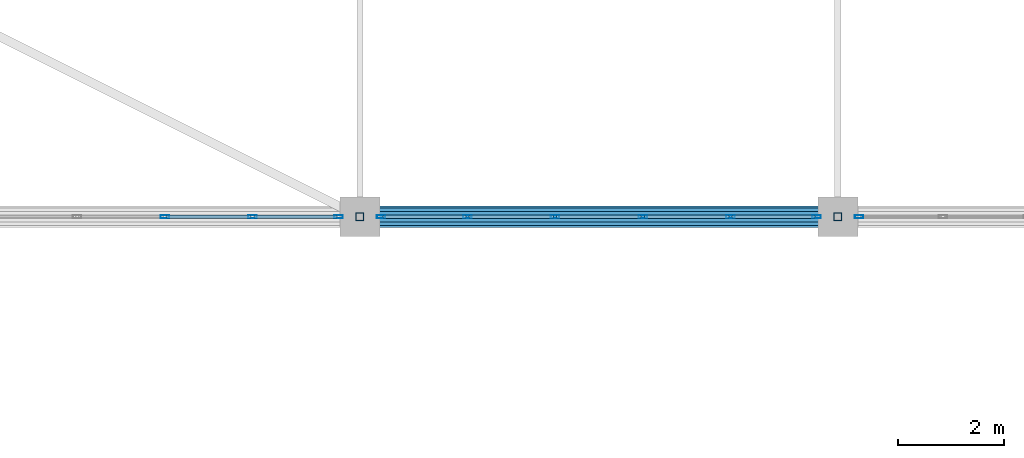
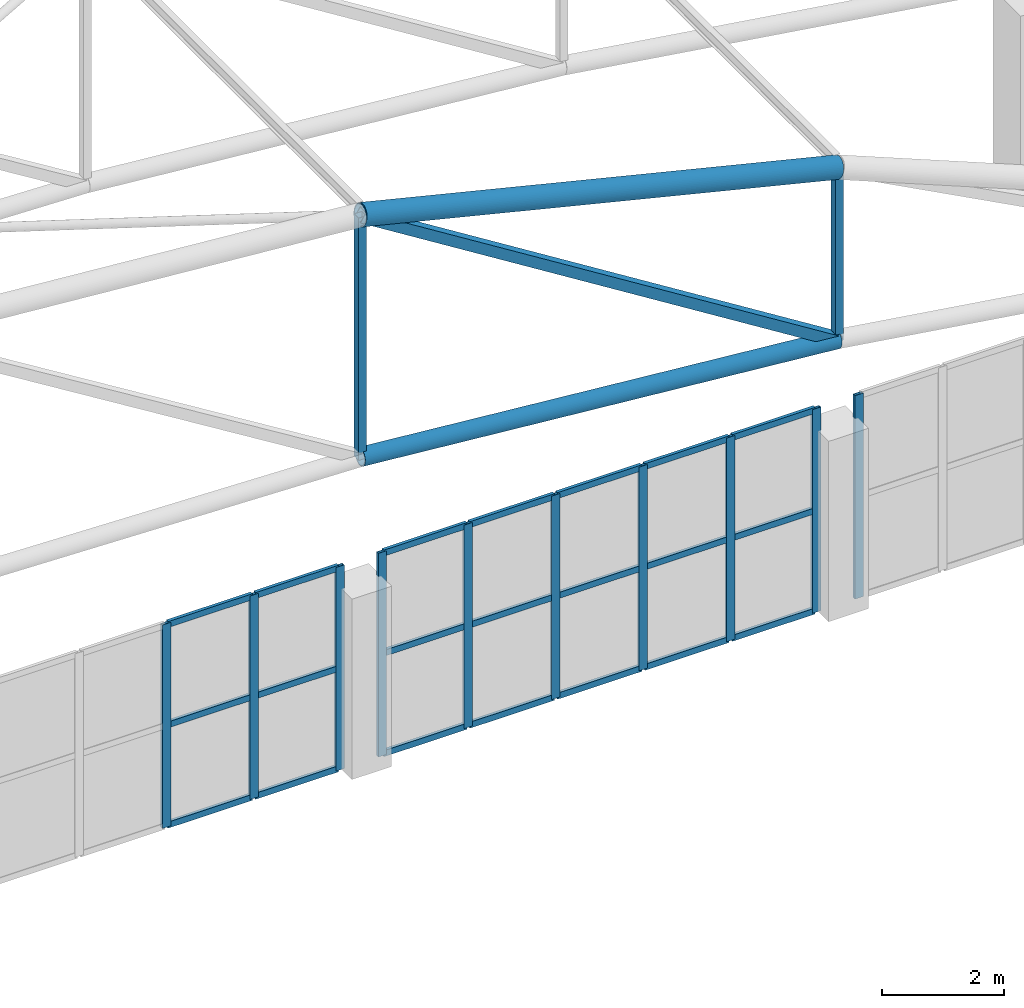
# One storey, part 14 of 167: 36 members, 3 elements without a shape of their own.
"""IFC4 building model written with IfcOpenShell, lengths in metres."""

import ifcopenshell
import ifcopenshell.guid

model = None  # the IFC model being written
_history = None  # IfcOwnerHistory: only IFC2X3 demands one
_inside = {}  # id of a spatial element -> (the spatial element, [elements in it])
_under = {}  # id of a project, library or spatial element -> (it, [spatial elements below it])
_declared = {}  # id of a project -> (the project, [libraries it declares])
_typed = {}  # id of a type object -> (the type object, [elements of that type])
_made_of = {}  # id of a material, layer set ... -> (it, [elements and type objects made of it])


def new_model(schema):
    """Start an empty IFC model of exactly this schema.

    Asked for "IFC4X3", IfcOpenShell would pick the latest addendum, in which some entities
    have other attributes; the version numbers below select the first issue.
    IFC2X3 requires an IfcOwnerHistory on every rooted entity: one is made here for all.
    """
    global model, _history
    if schema == "IFC4X3":
        model = ifcopenshell.file(schema_version=(4, 3, 0, 0))
    else:
        model = ifcopenshell.file(schema=schema)
    _inside.clear()
    _under.clear()
    _declared.clear()
    _typed.clear()
    _made_of.clear()
    _history = None
    if model.schema == "IFC2X3":
        org = make("IfcOrganization", Name="unknown")
        user = make(
            "IfcPersonAndOrganization",
            ThePerson=make("IfcPerson", FamilyName="unknown"),
            TheOrganization=org,
        )
        app = make(
            "IfcApplication",
            ApplicationDeveloper=org,
            Version="unknown",
            ApplicationFullName="unknown",
            ApplicationIdentifier="unknown",
        )
        _history = make(
            "IfcOwnerHistory",
            OwningUser=user,
            OwningApplication=app,
            ChangeAction="ADDED",
            CreationDate=0,
        )
    return model


def make(cls, **values):
    """One entity of the class cls with the attributes given. An attribute that is None is left unset."""
    return model.create_entity(
        cls, **{name: value for name, value in values.items() if value is not None}
    )


def rooted(cls, **values):
    """An entity with a GlobalId (a new one), such as an element, a storey or a relation."""
    return make(cls, GlobalId=ifcopenshell.guid.new(), OwnerHistory=_history, **values)


def si_unit(unit_type, name, prefix=None):
    """IfcSIUnit, for example si_unit("LENGTHUNIT", "METRE", prefix="MILLI")."""
    return make("IfcSIUnit", UnitType=unit_type, Prefix=prefix, Name=name)


def assignment(units):
    """IfcUnitAssignment: the units of a project."""
    return None if units is None else make("IfcUnitAssignment", Units=units)


def point(xyz):
    """IfcCartesianPoint."""
    return None if xyz is None else make("IfcCartesianPoint", Coordinates=xyz)


def direction(xyz):
    """IfcDirection."""
    return None if xyz is None else make("IfcDirection", DirectionRatios=xyz)


def frame(location, z_axis=None, x_axis=None):
    """IfcAxis2Placement3D, a coordinate frame: its origin and axes. An axis left out is left unset."""
    return make(
        "IfcAxis2Placement3D",
        Location=point(location),
        Axis=direction(z_axis),
        RefDirection=direction(x_axis),
    )


def frame_2d(location, x_axis=None):
    """IfcAxis2Placement2D, a coordinate frame in the plane: its origin and x axis."""
    return make(
        "IfcAxis2Placement2D", Location=point(location), RefDirection=direction(x_axis)
    )


def origin():
    """The frame at (0, 0, 0) with its axes left unset."""
    return frame((0.0, 0.0, 0.0))


def origin_2d():
    """The frame at (0, 0) in the plane with its x axis left unset."""
    return frame_2d((0.0, 0.0))


def place(relative_to, where):
    """IfcLocalPlacement: puts the frame where relative to a parent placement (None: the world)."""
    return make(
        "IfcLocalPlacement", PlacementRelTo=relative_to, RelativePlacement=where
    )


def context(
    kind, dimensions, precision=None, world=None, true_north=None, identifier=None
):
    """IfcGeometricRepresentationContext, for example the 3D "Model" context."""
    return make(
        "IfcGeometricRepresentationContext",
        ContextIdentifier=identifier,
        ContextType=kind,
        CoordinateSpaceDimension=dimensions,
        Precision=precision,
        WorldCoordinateSystem=world,
        TrueNorth=true_north,
    )


def subcontext(parent, identifier, kind, view, scale=None):
    """IfcGeometricRepresentationSubContext, for example "Body" below "Model"."""
    return make(
        "IfcGeometricRepresentationSubContext",
        ContextIdentifier=identifier,
        ContextType=kind,
        ParentContext=parent,
        TargetScale=scale,
        TargetView=view,
    )


def project(units=None, contexts=None):
    """IfcProject with its units and contexts."""
    return rooted(
        "IfcProject",
        Name="project",
        RepresentationContexts=contexts,
        UnitsInContext=assignment(units),
    )


def spatial(cls, under=None, at=None, **own):
    """A site, building, storey or space (cls), placed at a placement, below another one or the project."""
    s = rooted(cls, ObjectPlacement=at, **own)
    if under is not None:
        _under.setdefault(under.id(), (under, []))[1].append(s)
    return s


def profile(cls, at=None, kind="AREA", **sizes):
    """A parametric profile (cls). Its sizes go by their IFC names, for example OverallWidth=200.0."""
    return make(cls, ProfileType=kind, Position=at, **sizes)


def hollow_rectangle(**sizes):
    """IfcRectangleHollowProfileDef."""
    return profile("IfcRectangleHollowProfileDef", **sizes)


def hollow_circle(**sizes):
    """IfcCircleHollowProfileDef."""
    return profile("IfcCircleHollowProfileDef", **sizes)


def extrude(swept, where, along, depth):
    """IfcExtrudedAreaSolid: the profile swept, set in the frame where, extruded along a direction by depth."""
    return make(
        "IfcExtrudedAreaSolid",
        SweptArea=swept,
        Position=where,
        ExtrudedDirection=direction(along),
        Depth=depth,
    )


def shape(context_of_items, identifier, shape_type, items):
    """IfcShapeRepresentation: the items that make up one representation, for example the "Body"."""
    return make(
        "IfcShapeRepresentation",
        ContextOfItems=context_of_items,
        RepresentationIdentifier=identifier,
        RepresentationType=shape_type,
        Items=items,
    )


def material(Name=None, Category=None):
    """IfcMaterial."""
    return make("IfcMaterial", Name=Name, Category=Category)


def layer(
    of_material, thickness, ventilated=None, Name=None, Category=None, Priority=None
):
    """IfcMaterialLayer: one layer of a wall or slab, of a material (None: an air gap)."""
    return make(
        "IfcMaterialLayer",
        Material=of_material,
        LayerThickness=thickness,
        IsVentilated=ventilated,
        Name=Name,
        Category=Category,
        Priority=Priority,
    )


def layer_set(layers, Name=None):
    """IfcMaterialLayerSet."""
    return make("IfcMaterialLayerSet", MaterialLayers=layers, LayerSetName=Name)


def material_profile(
    of_material, cross_section, Name=None, Category=None, Priority=None
):
    """IfcMaterialProfile: a cross section and its material."""
    return make(
        "IfcMaterialProfile",
        Name=Name,
        Material=of_material,
        Profile=cross_section,
        Priority=Priority,
        Category=Category,
    )


def profile_set(profiles, Name=None, composite=None):
    """IfcMaterialProfileSet."""
    return make(
        "IfcMaterialProfileSet",
        Name=Name,
        MaterialProfiles=profiles,
        CompositeProfile=composite,
    )


def made_of(thing, what):
    """Note that an element or type object is made of a material, layer set ...; save() writes the relation."""
    if what is not None:
        _made_of.setdefault(what.id(), (what, []))[1].append(thing)
    return thing


def type_object(cls, material=None, **own):
    """A type object (cls), such as IfcWallType, which elements share."""
    return made_of(rooted(cls, **own), material)


def element(
    cls,
    number,
    at=None,
    inside=None,
    cuts=None,
    type_object=None,
    material=None,
    context=None,
    identifier="Body",
    shape_type=None,
    held_by="IfcProductDefinitionShape",
    body=None,
    shapes=None,
    **own,
):
    """One element of the class cls, such as IfcWall. Its Tag is "e" and its number.

    at: its placement. inside: the storey or other place that contains it. cuts: it is an
    opening in that element (IfcRelVoidsElement). A single representation is given by context,
    identifier, shape_type and body (its items); several are given by shapes. held_by: the class
    of the entity that holds the representations. save() writes the other relations.
    """
    e = rooted(cls, Tag="e%d" % number, ObjectPlacement=at, **own)
    if body is not None:
        shapes = [shape(context, identifier, shape_type, body)]
    if shapes is not None:
        e.Representation = make(held_by, Representations=shapes)
    if inside is not None:
        _inside.setdefault(inside.id(), (inside, []))[1].append(e)
    if cuts is not None:
        rooted(
            "IfcRelVoidsElement", RelatingBuildingElement=cuts, RelatedOpeningElement=e
        )
    if type_object is not None:
        _typed.setdefault(type_object.id(), (type_object, []))[1].append(e)
    return made_of(e, material)


def aggregate(whole, parts):
    """IfcRelAggregates: a whole, such as a stair, and the parts it consists of."""
    return rooted("IfcRelAggregates", RelatingObject=whole, RelatedObjects=parts)


def save(model, path):
    """Write the relations noted so far, then the file.

    IfcRelAggregates (storeys below a building ...), IfcRelContainedInSpatialStructure (elements
    in a storey), IfcRelDefinesByType, IfcRelAssociatesMaterial and IfcRelDeclares: one each for
    every whole, place, type object, material and project.
    """
    for whole, parts in _under.values():
        aggregate(whole, parts)
    for where, things in _inside.values():
        rooted(
            "IfcRelContainedInSpatialStructure",
            RelatedElements=things,
            RelatingStructure=where,
        )
    for kind, things in _typed.values():
        rooted("IfcRelDefinesByType", RelatedObjects=things, RelatingType=kind)
    for what, things in _made_of.values():
        rooted("IfcRelAssociatesMaterial", RelatedObjects=things, RelatingMaterial=what)
    for by, libraries in _declared.values():
        rooted("IfcRelDeclares", RelatingContext=by, RelatedDefinitions=libraries)
    model.write(path)


model = new_model("IFC4")

# Units and contexts
model_context = context("Model", 3, precision=1e-05, world=origin(), true_north=direction((0.0, 1.0)))
body_context = subcontext(model_context, "Body", "Model", "MODEL_VIEW")
ifc_project = project(units=[si_unit("LENGTHUNIT", "METRE"), si_unit("AREAUNIT", "SQUARE_METRE"), si_unit("VOLUMEUNIT", "CUBIC_METRE"), si_unit("PLANEANGLEUNIT", "RADIAN"), si_unit("MASSUNIT", "GRAM", prefix="KILO")], contexts=[model_context])

# Site, building, storey
site_placement = place(None, origin())
site = spatial("IfcSite", under=ifc_project, at=site_placement, CompositionType="ELEMENT")
building_placement = place(site_placement, origin())
building = spatial("IfcBuilding", under=site, at=building_placement, Name="Dornveld Trade and Exhibition Forum", CompositionType="ELEMENT")
storey_placement = place(building_placement, frame((0.0, 0.0, 16.800048828125)))
storey = spatial("IfcBuildingStorey", under=building, at=storey_placement, Name="L03", CompositionType="ELEMENT", Elevation=16.800048828125)

# Curtain wall, members
ifc_material_1 = material(Name="Dark-bronze anodised aluminium and low-E glass", Category="aluminium")
ifc_layer_1 = layer(ifc_material_1, 0.14501953125)
ifc_layer_set_1 = layer_set([ifc_layer_1], Name="Dark-bronze anodised aluminium and low-E glass")
curtain_wall_type_1 = type_object("IfcCurtainWallType", Name="CW-SYS-01", PredefinedType="USERDEFINED", material=ifc_layer_set_1)
curtain_wall_1_placement = place(storey_placement, origin())
curtain_wall_1 = element("IfcCurtainWall", 1, at=curtain_wall_1_placement, inside=storey, type_object=curtain_wall_type_1, Name="L03 unitised curtain wall 37", ObjectType="UNITISED_CURTAIN_WALL", PredefinedType="USERDEFINED")
ifc_material_2 = material(Name="Dark-bronze anodised aluminium", Category="aluminium")
ifc_material_profile_1 = material_profile(ifc_material_2, hollow_rectangle(XDim=0.06005859375, YDim=0.159912109375, WallThickness=0.00390625, at=origin_2d()), Name="RHS 160x60x4")
ifc_profile_set_1 = profile_set([ifc_material_profile_1], Name="Dark-bronze anodised aluminium")
member_type_1 = type_object("IfcMemberType", Name="CW-MUL-160", PredefinedType="MULLION", material=ifc_profile_set_1)
member_1_placement = place(storey_placement, frame((59.32568359375, 36.0, -0.004150390625), z_axis=(0.0, 0.0, 1.0), x_axis=(0.0, 1.0, 0.0)))
member_1 = element("IfcMember", 2, at=member_1_placement, type_object=member_type_1, Name="CW-01 mullion 4", PredefinedType="MULLION", context=body_context, shape_type="SweptSolid", body=[
    extrude(hollow_rectangle(XDim=0.06005859375, YDim=0.159912109375, WallThickness=0.00390625, at=origin_2d()), origin(), (0.0, 0.0, 1.0), 4.064208984375),
])
member_2_placement = place(storey_placement, frame((60.977294921875, 36.0, -0.004150390625), z_axis=(0.0, 0.0, 1.0), x_axis=(0.0, 1.0, 0.0)))
member_2 = element("IfcMember", 3, at=member_2_placement, type_object=member_type_1, Name="CW-01 mullion 5", PredefinedType="MULLION", context=body_context, shape_type="SweptSolid", body=[
    extrude(hollow_rectangle(XDim=0.06005859375, YDim=0.159912109375, WallThickness=0.00390625, at=origin_2d()), origin(), (0.0, 0.0, 1.0), 4.064208984375),
])
member_3_placement = place(storey_placement, frame((62.59912109375, 36.0, -0.004150390625), z_axis=(0.0, 0.0, 1.0), x_axis=(0.0, 1.0, 0.0)))
member_3 = element("IfcMember", 4, at=member_3_placement, type_object=member_type_1, Name="CW-01 mullion 6", PredefinedType="MULLION", context=body_context, shape_type="SweptSolid", body=[
    extrude(hollow_rectangle(XDim=0.06005859375, YDim=0.159912109375, WallThickness=0.00390625, at=origin_2d()), origin(), (0.0, 0.0, 1.0), 4.064208984375),
])

ifc_material_3 = material(Name="Dark-bronze anodised aluminium and low-E glass", Category="aluminium")
ifc_layer_2 = layer(ifc_material_3, 0.15087890625)
ifc_layer_set_2 = layer_set([ifc_layer_2], Name="Dark-bronze anodised aluminium and low-E glass")
curtain_wall_type_2 = type_object("IfcCurtainWallType", Name="CW-SYS-03", PredefinedType="USERDEFINED", material=ifc_layer_set_2)
curtain_wall_2_placement = place(storey_placement, origin())
curtain_wall_2 = element("IfcCurtainWall", 5, at=curtain_wall_2_placement, inside=storey, type_object=curtain_wall_type_2, Name="L03 unitised curtain wall 39", ObjectType="UNITISED_CURTAIN_WALL", PredefinedType="USERDEFINED")
member_4_placement = place(storey_placement, frame((63.40087890625, 36.0, -0.004150390625), z_axis=(0.0, 0.0, 1.0), x_axis=(0.0, 1.0, 0.0)))
member_4 = element("IfcMember", 6, at=member_4_placement, type_object=member_type_1, Name="CW-03 mullion 1", PredefinedType="MULLION", context=body_context, shape_type="SweptSolid", body=[
    extrude(hollow_rectangle(XDim=0.06005859375, YDim=0.159912109375, WallThickness=0.00390625, at=origin_2d()), origin(), (0.0, 0.0, 1.0), 4.064208984375),
])
member_5_placement = place(storey_placement, frame((65.022705078125, 36.0, -0.004150390625), z_axis=(0.0, 0.0, 1.0), x_axis=(0.0, 1.0, 0.0)))
member_5 = element("IfcMember", 7, at=member_5_placement, type_object=member_type_1, Name="CW-03 mullion 2", PredefinedType="MULLION", context=body_context, shape_type="SweptSolid", body=[
    extrude(hollow_rectangle(XDim=0.06005859375, YDim=0.159912109375, WallThickness=0.00390625, at=origin_2d()), origin(), (0.0, 0.0, 1.0), 4.064208984375),
])
member_6_placement = place(storey_placement, frame((66.67431640625, 36.0, -0.004150390625), z_axis=(0.0, 0.0, 1.0), x_axis=(0.0, 1.0, 0.0)))
member_6 = element("IfcMember", 8, at=member_6_placement, type_object=member_type_1, Name="CW-03 mullion 3", PredefinedType="MULLION", context=body_context, shape_type="SweptSolid", body=[
    extrude(hollow_rectangle(XDim=0.06005859375, YDim=0.159912109375, WallThickness=0.00390625, at=origin_2d()), origin(), (0.0, 0.0, 1.0), 4.064208984375),
])
member_7_placement = place(storey_placement, frame((68.32568359375, 36.0, -0.004150390625), z_axis=(0.0, 0.0, 1.0), x_axis=(0.0, 1.0, 0.0)))
member_7 = element("IfcMember", 9, at=member_7_placement, type_object=member_type_1, Name="CW-03 mullion 4", PredefinedType="MULLION", context=body_context, shape_type="SweptSolid", body=[
    extrude(hollow_rectangle(XDim=0.06005859375, YDim=0.159912109375, WallThickness=0.00390625, at=origin_2d()), origin(), (0.0, 0.0, 1.0), 4.064208984375),
])
member_8_placement = place(storey_placement, frame((69.977294921875, 36.0, -0.004150390625), z_axis=(0.0, 0.0, 1.0), x_axis=(0.0, 1.0, 0.0)))
member_8 = element("IfcMember", 10, at=member_8_placement, type_object=member_type_1, Name="CW-03 mullion 5", PredefinedType="MULLION", context=body_context, shape_type="SweptSolid", body=[
    extrude(hollow_rectangle(XDim=0.06005859375, YDim=0.159912109375, WallThickness=0.00390625, at=origin_2d()), origin(), (0.0, 0.0, 1.0), 4.064208984375),
])
member_9_placement = place(storey_placement, frame((71.59912109375, 36.0, -0.004150390625), z_axis=(0.0, 0.0, 1.0), x_axis=(0.0, 1.0, 0.0)))
member_9 = element("IfcMember", 11, at=member_9_placement, type_object=member_type_1, Name="CW-03 mullion 6", PredefinedType="MULLION", context=body_context, shape_type="SweptSolid", body=[
    extrude(hollow_rectangle(XDim=0.06005859375, YDim=0.159912109375, WallThickness=0.00390625, at=origin_2d()), origin(), (0.0, 0.0, 1.0), 4.064208984375),
])

# Curtain wall, member
ifc_material_4 = material(Name="Dark-bronze anodised aluminium and low-E glass", Category="aluminium")
ifc_layer_3 = layer(ifc_material_4, 0.156982421875)
ifc_layer_set_3 = layer_set([ifc_layer_3], Name="Dark-bronze anodised aluminium and low-E glass")
curtain_wall_type_3 = type_object("IfcCurtainWallType", Name="CW-SYS-05", PredefinedType="USERDEFINED", material=ifc_layer_set_3)
curtain_wall_3_placement = place(storey_placement, origin())
curtain_wall_3 = element("IfcCurtainWall", 12, at=curtain_wall_3_placement, inside=storey, type_object=curtain_wall_type_3, Name="L03 unitised curtain wall 41", ObjectType="UNITISED_CURTAIN_WALL", PredefinedType="USERDEFINED")
member_10_placement = place(storey_placement, frame((72.40087890625, 36.0, -0.004150390625), z_axis=(0.0, 0.0, 1.0), x_axis=(0.0, 1.0, 0.0)))
member_10 = element("IfcMember", 13, at=member_10_placement, type_object=member_type_1, Name="CW-05 mullion 1", PredefinedType="MULLION", context=body_context, shape_type="SweptSolid", body=[
    extrude(hollow_rectangle(XDim=0.06005859375, YDim=0.159912109375, WallThickness=0.00390625, at=origin_2d()), origin(), (0.0, 0.0, 1.0), 4.064208984375),
])
aggregate(curtain_wall_3, [member_10])

# Member
ifc_material_5 = material(Name="Dark-bronze anodised aluminium", Category="aluminium")
ifc_material_profile_2 = material_profile(ifc_material_5, hollow_rectangle(XDim=0.06005859375, YDim=0.1201171875, WallThickness=0.00390625, at=origin_2d()), Name="RHS 120x60x4")
ifc_profile_set_2 = profile_set([ifc_material_profile_2], Name="Dark-bronze anodised aluminium")
member_type_2 = type_object("IfcMemberType", Name="CW-TRN-120", PredefinedType="USERDEFINED", material=ifc_profile_set_2)
member_11_placement = place(storey_placement, frame((59.355712890625, 36.0, 0.02587890625), z_axis=(1.0, 0.0, 0.0), x_axis=(0.0, 1.0, 0.0)))
member_11 = element("IfcMember", 14, at=member_11_placement, type_object=member_type_2, Name="CW-01 transom 4.1", ObjectType="TRANSOM", PredefinedType="USERDEFINED", context=body_context, shape_type="SweptSolid", body=[
    extrude(hollow_rectangle(XDim=0.06005859375, YDim=0.1201171875, WallThickness=0.00390625, at=origin_2d()), origin(), (0.0, 0.0, 1.0), 1.591796875),
])

member_12_placement = place(storey_placement, frame((59.355712890625, 36.0, 2.02783203125), z_axis=(1.0, 0.0, 0.0), x_axis=(0.0, 1.0, 0.0)))
member_12 = element("IfcMember", 15, at=member_12_placement, type_object=member_type_2, Name="CW-01 transom 4.2", ObjectType="TRANSOM", PredefinedType="USERDEFINED", context=body_context, shape_type="SweptSolid", body=[
    extrude(hollow_rectangle(XDim=0.06005859375, YDim=0.1201171875, WallThickness=0.00390625, at=origin_2d()), origin(), (0.0, 0.0, 1.0), 1.591796875),
])

member_13_placement = place(storey_placement, frame((59.355712890625, 36.0, 4.030029296875), z_axis=(1.0, 0.0, 0.0), x_axis=(0.0, 1.0, 0.0)))
member_13 = element("IfcMember", 16, at=member_13_placement, type_object=member_type_2, Name="CW-01 transom 4.3", ObjectType="TRANSOM", PredefinedType="USERDEFINED", context=body_context, shape_type="SweptSolid", body=[
    extrude(hollow_rectangle(XDim=0.06005859375, YDim=0.1201171875, WallThickness=0.00390625, at=origin_2d()), origin(), (0.0, 0.0, 1.0), 1.591796875),
])

member_14_placement = place(storey_placement, frame((61.00732421875, 36.0, 0.02587890625), z_axis=(1.0, 0.0, 0.0), x_axis=(0.0, 1.0, 0.0)))
member_14 = element("IfcMember", 17, at=member_14_placement, type_object=member_type_2, Name="CW-01 transom 5.1", ObjectType="TRANSOM", PredefinedType="USERDEFINED", context=body_context, shape_type="SweptSolid", body=[
    extrude(hollow_rectangle(XDim=0.06005859375, YDim=0.1201171875, WallThickness=0.00390625, at=origin_2d()), origin(), (0.0, 0.0, 1.0), 1.561767578125),
])

member_15_placement = place(storey_placement, frame((61.00732421875, 36.0, 2.02783203125), z_axis=(1.0, 0.0, 0.0), x_axis=(0.0, 1.0, 0.0)))
member_15 = element("IfcMember", 18, at=member_15_placement, type_object=member_type_2, Name="CW-01 transom 5.2", ObjectType="TRANSOM", PredefinedType="USERDEFINED", context=body_context, shape_type="SweptSolid", body=[
    extrude(hollow_rectangle(XDim=0.06005859375, YDim=0.1201171875, WallThickness=0.00390625, at=origin_2d()), origin(), (0.0, 0.0, 1.0), 1.561767578125),
])

member_16_placement = place(storey_placement, frame((61.00732421875, 36.0, 4.030029296875), z_axis=(1.0, 0.0, 0.0), x_axis=(0.0, 1.0, 0.0)))
member_16 = element("IfcMember", 19, at=member_16_placement, type_object=member_type_2, Name="CW-01 transom 5.3", ObjectType="TRANSOM", PredefinedType="USERDEFINED", context=body_context, shape_type="SweptSolid", body=[
    extrude(hollow_rectangle(XDim=0.06005859375, YDim=0.1201171875, WallThickness=0.00390625, at=origin_2d()), origin(), (0.0, 0.0, 1.0), 1.561767578125),
])

aggregate(curtain_wall_1, [member_1, member_2, member_3, member_11, member_12, member_13, member_14, member_15, member_16])

member_17_placement = place(storey_placement, frame((63.430908203125, 36.0, 0.02587890625), z_axis=(1.0, 0.0, 0.0), x_axis=(0.0, 1.0, 0.0)))
member_17 = element("IfcMember", 20, at=member_17_placement, type_object=member_type_2, Name="CW-03 transom 1.1", ObjectType="TRANSOM", PredefinedType="USERDEFINED", context=body_context, shape_type="SweptSolid", body=[
    extrude(hollow_rectangle(XDim=0.06005859375, YDim=0.1201171875, WallThickness=0.00390625, at=origin_2d()), origin(), (0.0, 0.0, 1.0), 1.561767578125),
])

member_18_placement = place(storey_placement, frame((63.430908203125, 36.0, 2.02783203125), z_axis=(1.0, 0.0, 0.0), x_axis=(0.0, 1.0, 0.0)))
member_18 = element("IfcMember", 21, at=member_18_placement, type_object=member_type_2, Name="CW-03 transom 1.2", ObjectType="TRANSOM", PredefinedType="USERDEFINED", context=body_context, shape_type="SweptSolid", body=[
    extrude(hollow_rectangle(XDim=0.06005859375, YDim=0.1201171875, WallThickness=0.00390625, at=origin_2d()), origin(), (0.0, 0.0, 1.0), 1.561767578125),
])

member_19_placement = place(storey_placement, frame((63.430908203125, 36.0, 4.030029296875), z_axis=(1.0, 0.0, 0.0), x_axis=(0.0, 1.0, 0.0)))
member_19 = element("IfcMember", 22, at=member_19_placement, type_object=member_type_2, Name="CW-03 transom 1.3", ObjectType="TRANSOM", PredefinedType="USERDEFINED", context=body_context, shape_type="SweptSolid", body=[
    extrude(hollow_rectangle(XDim=0.06005859375, YDim=0.1201171875, WallThickness=0.00390625, at=origin_2d()), origin(), (0.0, 0.0, 1.0), 1.561767578125),
])

member_20_placement = place(storey_placement, frame((65.052490234375, 36.0, 0.02587890625), z_axis=(1.0, 0.0, 0.0), x_axis=(0.0, 1.0, 0.0)))
member_20 = element("IfcMember", 23, at=member_20_placement, type_object=member_type_2, Name="CW-03 transom 2.1", ObjectType="TRANSOM", PredefinedType="USERDEFINED", context=body_context, shape_type="SweptSolid", body=[
    extrude(hollow_rectangle(XDim=0.06005859375, YDim=0.1201171875, WallThickness=0.00390625, at=origin_2d()), origin(), (0.0, 0.0, 1.0), 1.591796875),
])

member_21_placement = place(storey_placement, frame((65.052490234375, 36.0, 2.02783203125), z_axis=(1.0, 0.0, 0.0), x_axis=(0.0, 1.0, 0.0)))
member_21 = element("IfcMember", 24, at=member_21_placement, type_object=member_type_2, Name="CW-03 transom 2.2", ObjectType="TRANSOM", PredefinedType="USERDEFINED", context=body_context, shape_type="SweptSolid", body=[
    extrude(hollow_rectangle(XDim=0.06005859375, YDim=0.1201171875, WallThickness=0.00390625, at=origin_2d()), origin(), (0.0, 0.0, 1.0), 1.591796875),
])

member_22_placement = place(storey_placement, frame((65.052490234375, 36.0, 4.030029296875), z_axis=(1.0, 0.0, 0.0), x_axis=(0.0, 1.0, 0.0)))
member_22 = element("IfcMember", 25, at=member_22_placement, type_object=member_type_2, Name="CW-03 transom 2.3", ObjectType="TRANSOM", PredefinedType="USERDEFINED", context=body_context, shape_type="SweptSolid", body=[
    extrude(hollow_rectangle(XDim=0.06005859375, YDim=0.1201171875, WallThickness=0.00390625, at=origin_2d()), origin(), (0.0, 0.0, 1.0), 1.591796875),
])

member_23_placement = place(storey_placement, frame((66.7041015625, 36.0, 0.02587890625), z_axis=(1.0, 0.0, 0.0), x_axis=(0.0, 1.0, 0.0)))
member_23 = element("IfcMember", 26, at=member_23_placement, type_object=member_type_2, Name="CW-03 transom 3.1", ObjectType="TRANSOM", PredefinedType="USERDEFINED", context=body_context, shape_type="SweptSolid", body=[
    extrude(hollow_rectangle(XDim=0.06005859375, YDim=0.1201171875, WallThickness=0.00390625, at=origin_2d()), origin(), (0.0, 0.0, 1.0), 1.591796875),
])

member_24_placement = place(storey_placement, frame((66.7041015625, 36.0, 2.02783203125), z_axis=(1.0, 0.0, 0.0), x_axis=(0.0, 1.0, 0.0)))
member_24 = element("IfcMember", 27, at=member_24_placement, type_object=member_type_2, Name="CW-03 transom 3.2", ObjectType="TRANSOM", PredefinedType="USERDEFINED", context=body_context, shape_type="SweptSolid", body=[
    extrude(hollow_rectangle(XDim=0.06005859375, YDim=0.1201171875, WallThickness=0.00390625, at=origin_2d()), origin(), (0.0, 0.0, 1.0), 1.591796875),
])

member_25_placement = place(storey_placement, frame((66.7041015625, 36.0, 4.030029296875), z_axis=(1.0, 0.0, 0.0), x_axis=(0.0, 1.0, 0.0)))
member_25 = element("IfcMember", 28, at=member_25_placement, type_object=member_type_2, Name="CW-03 transom 3.3", ObjectType="TRANSOM", PredefinedType="USERDEFINED", context=body_context, shape_type="SweptSolid", body=[
    extrude(hollow_rectangle(XDim=0.06005859375, YDim=0.1201171875, WallThickness=0.00390625, at=origin_2d()), origin(), (0.0, 0.0, 1.0), 1.591796875),
])

member_26_placement = place(storey_placement, frame((68.355712890625, 36.0, 0.02587890625), z_axis=(1.0, 0.0, 0.0), x_axis=(0.0, 1.0, 0.0)))
member_26 = element("IfcMember", 29, at=member_26_placement, type_object=member_type_2, Name="CW-03 transom 4.1", ObjectType="TRANSOM", PredefinedType="USERDEFINED", context=body_context, shape_type="SweptSolid", body=[
    extrude(hollow_rectangle(XDim=0.06005859375, YDim=0.1201171875, WallThickness=0.00390625, at=origin_2d()), origin(), (0.0, 0.0, 1.0), 1.591796875),
])

member_27_placement = place(storey_placement, frame((68.355712890625, 36.0, 2.02783203125), z_axis=(1.0, 0.0, 0.0), x_axis=(0.0, 1.0, 0.0)))
member_27 = element("IfcMember", 30, at=member_27_placement, type_object=member_type_2, Name="CW-03 transom 4.2", ObjectType="TRANSOM", PredefinedType="USERDEFINED", context=body_context, shape_type="SweptSolid", body=[
    extrude(hollow_rectangle(XDim=0.06005859375, YDim=0.1201171875, WallThickness=0.00390625, at=origin_2d()), origin(), (0.0, 0.0, 1.0), 1.591796875),
])

member_28_placement = place(storey_placement, frame((68.355712890625, 36.0, 4.030029296875), z_axis=(1.0, 0.0, 0.0), x_axis=(0.0, 1.0, 0.0)))
member_28 = element("IfcMember", 31, at=member_28_placement, type_object=member_type_2, Name="CW-03 transom 4.3", ObjectType="TRANSOM", PredefinedType="USERDEFINED", context=body_context, shape_type="SweptSolid", body=[
    extrude(hollow_rectangle(XDim=0.06005859375, YDim=0.1201171875, WallThickness=0.00390625, at=origin_2d()), origin(), (0.0, 0.0, 1.0), 1.591796875),
])

member_29_placement = place(storey_placement, frame((70.00732421875, 36.0, 0.02587890625), z_axis=(1.0, 0.0, 0.0), x_axis=(0.0, 1.0, 0.0)))
member_29 = element("IfcMember", 32, at=member_29_placement, type_object=member_type_2, Name="CW-03 transom 5.1", ObjectType="TRANSOM", PredefinedType="USERDEFINED", context=body_context, shape_type="SweptSolid", body=[
    extrude(hollow_rectangle(XDim=0.06005859375, YDim=0.1201171875, WallThickness=0.00390625, at=origin_2d()), origin(), (0.0, 0.0, 1.0), 1.561767578125),
])

member_30_placement = place(storey_placement, frame((70.00732421875, 36.0, 2.02783203125), z_axis=(1.0, 0.0, 0.0), x_axis=(0.0, 1.0, 0.0)))
member_30 = element("IfcMember", 33, at=member_30_placement, type_object=member_type_2, Name="CW-03 transom 5.2", ObjectType="TRANSOM", PredefinedType="USERDEFINED", context=body_context, shape_type="SweptSolid", body=[
    extrude(hollow_rectangle(XDim=0.06005859375, YDim=0.1201171875, WallThickness=0.00390625, at=origin_2d()), origin(), (0.0, 0.0, 1.0), 1.561767578125),
])

member_31_placement = place(storey_placement, frame((70.00732421875, 36.0, 4.030029296875), z_axis=(1.0, 0.0, 0.0), x_axis=(0.0, 1.0, 0.0)))
member_31 = element("IfcMember", 34, at=member_31_placement, type_object=member_type_2, Name="CW-03 transom 5.3", ObjectType="TRANSOM", PredefinedType="USERDEFINED", context=body_context, shape_type="SweptSolid", body=[
    extrude(hollow_rectangle(XDim=0.06005859375, YDim=0.1201171875, WallThickness=0.00390625, at=origin_2d()), origin(), (0.0, 0.0, 1.0), 1.561767578125),
])

aggregate(curtain_wall_2, [member_4, member_5, member_6, member_7, member_8, member_9, member_17, member_18, member_19, member_20, member_21, member_22, member_23, member_24, member_25, member_26, member_27, member_28, member_29, member_30, member_31])

# Members
ifc_material_6 = material(Name="Steel S355J2", Category="steel")
ifc_material_profile_3 = material_profile(ifc_material_6, hollow_circle(Radius=0.161865234375, WallThickness=0.01611328125, at=origin_2d()), Name="CHS 323.9x16")
ifc_profile_set_3 = profile_set([ifc_material_profile_3], Name="Steel S355J2")
member_type_3 = type_object("IfcMemberType", Name="MEM-ARCH-BC", PredefinedType="CHORD", material=ifc_profile_set_3)
member_32_placement = place(storey_placement, frame((63.0, 36.0, 6.083251953125), z_axis=(0.996072164085, 0.0, -0.088545151956), x_axis=(0.0, 1.0, 0.0)))
element("IfcMember", 35, at=member_32_placement, inside=storey, type_object=member_type_3, Name="H3 truss 1 tie chord 5", PredefinedType="CHORD", context=body_context, shape_type="SweptSolid", body=[
    extrude(hollow_circle(Radius=0.161865234375, WallThickness=0.01611328125, at=origin_2d()), origin(), (0.0, 0.0, 1.0), 9.035400390625),
])
ifc_material_7 = material(Name="Steel S355J2", Category="steel")
ifc_material_profile_4 = material_profile(ifc_material_7, hollow_rectangle(XDim=0.14990234375, YDim=0.14990234375, WallThickness=0.008056640625, at=origin_2d()), Name="SHS 150x150x8")
ifc_profile_set_4 = profile_set([ifc_material_profile_4], Name="Steel S355J2")
member_type_4 = type_object("IfcMemberType", Name="MEM-ARCH-STR", PredefinedType="STRUT", material=ifc_profile_set_4)
member_33_placement = place(storey_placement, frame((63.0, 36.0, 6.083251953125), z_axis=(0.0, 0.0, 1.0), x_axis=(1.0, 0.0, 0.0)))
element("IfcMember", 36, at=member_33_placement, inside=storey, type_object=member_type_4, Name="H3 truss 1 strut 5", PredefinedType="STRUT", context=body_context, shape_type="SweptSolid", body=[
    extrude(hollow_rectangle(XDim=0.14990234375, YDim=0.14990234375, WallThickness=0.008056640625, at=origin_2d()), origin(), (0.0, 0.0, 1.0), 4.83349609375),
])
member_34_placement = place(storey_placement, frame((72.0, 36.0, 5.283203125), z_axis=(0.0, 0.0, 1.0), x_axis=(1.0, 0.0, 0.0)))
element("IfcMember", 37, at=member_34_placement, inside=storey, type_object=member_type_4, Name="H3 truss 1 strut 6", PredefinedType="STRUT", context=body_context, shape_type="SweptSolid", body=[
    extrude(hollow_rectangle(XDim=0.14990234375, YDim=0.14990234375, WallThickness=0.008056640625, at=origin_2d()), origin(), (0.0, 0.0, 1.0), 3.433349609375),
])
ifc_material_8 = material(Name="Steel S355J2", Category="steel")
ifc_material_profile_5 = material_profile(ifc_material_8, hollow_circle(Radius=0.203125, WallThickness=0.02001953125, at=origin_2d()), Name="CHS 406.4x20")
ifc_profile_set_5 = profile_set([ifc_material_profile_5], Name="Steel S355J2")
member_type_5 = type_object("IfcMemberType", Name="MEM-ARCH-TC", PredefinedType="CHORD", material=ifc_profile_set_5)
member_35_placement = place(storey_placement, frame((63.0, 36.0, 10.916748046875), z_axis=(0.971394143806, 0.0, -0.237472982421), x_axis=(0.0, 1.0, 0.0)))
element("IfcMember", 38, at=member_35_placement, inside=storey, type_object=member_type_5, Name="H3 truss 1 top chord 5", PredefinedType="CHORD", context=body_context, shape_type="SweptSolid", body=[
    extrude(hollow_circle(Radius=0.203125, WallThickness=0.02001953125, at=origin_2d()), origin(), (0.0, 0.0, 1.0), 9.26513671875),
])
ifc_material_9 = material(Name="Steel S355J2", Category="steel")
ifc_material_profile_6 = material_profile(ifc_material_9, hollow_rectangle(XDim=0.199951171875, YDim=0.199951171875, WallThickness=0.010009765625, at=origin_2d()), Name="SHS 200x200x10")
ifc_profile_set_6 = profile_set([ifc_material_profile_6], Name="Steel S355J2")
member_type_6 = type_object("IfcMemberType", Name="MEM-ARCH-WEB", PredefinedType="BRACE", material=ifc_profile_set_6)
member_36_placement = place(storey_placement, frame((72.0, 36.0, 5.283203125), z_axis=(-0.84763640931, 0.0, 0.53057753214), x_axis=(0.0, -1.0, 0.0)))
element("IfcMember", 39, at=member_36_placement, inside=storey, type_object=member_type_6, Name="H3 truss 1 web 5", PredefinedType="BRACE", context=body_context, shape_type="SweptSolid", body=[
    extrude(hollow_rectangle(XDim=0.199951171875, YDim=0.199951171875, WallThickness=0.010009765625, at=origin_2d()), origin(), (0.0, 0.0, 1.0), 10.61767578125),
])

save(model, "model.ifc")
